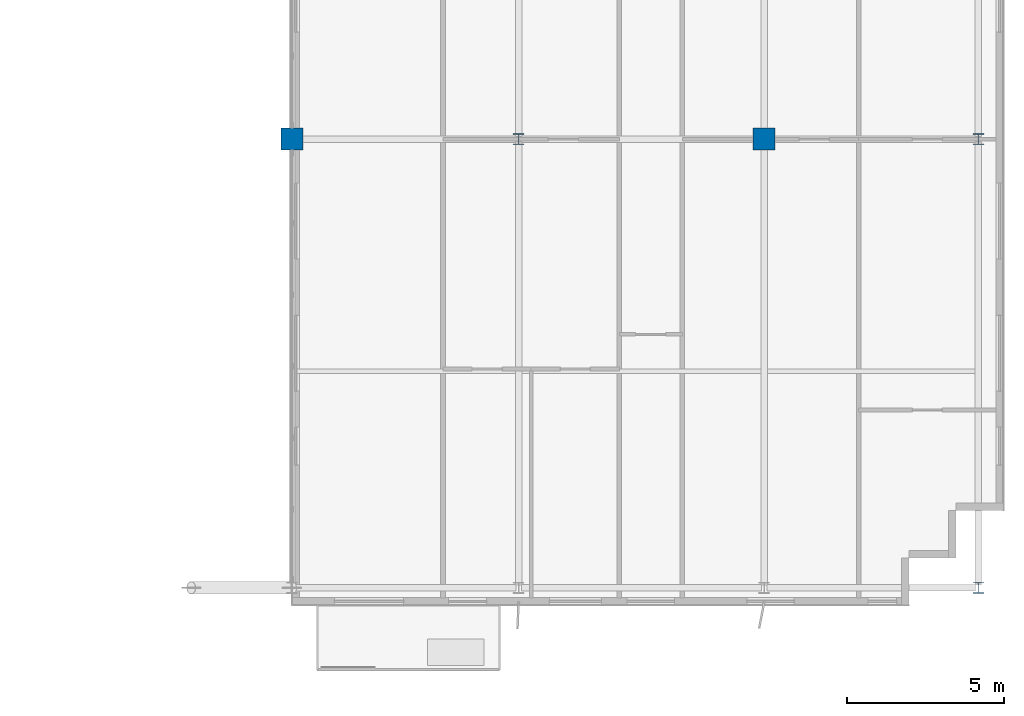
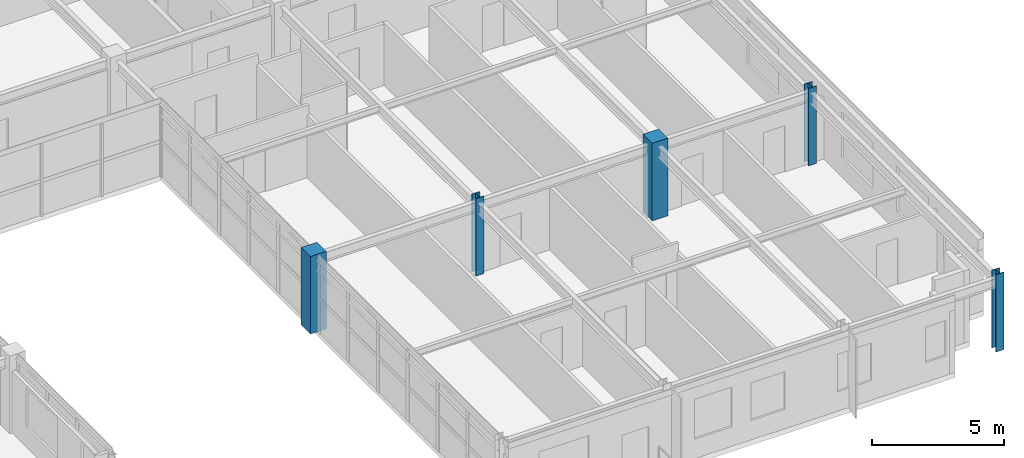
# One storey, part 2 of 34: 5 columns.
"""IFC4 building model written with IfcOpenShell, lengths in metres."""

from ifc_helpers import new_model, si_unit, direction, frame, origin, origin_2d, place, context, subcontext, project, spatial, rectangle, i_section, extrude, source, transform, mapped, material, material_profile, profile_set, type_object, element, save


model = new_model("IFC4")

# Units and contexts
model_context = context("Model", 3, precision=1e-05, world=origin(), true_north=direction((0.0, 1.0)))
body_context = subcontext(model_context, "Body", "Model", "MODEL_VIEW")
ifc_project = project(units=[si_unit("LENGTHUNIT", "METRE"), si_unit("AREAUNIT", "SQUARE_METRE"), si_unit("VOLUMEUNIT", "CUBIC_METRE"), si_unit("PLANEANGLEUNIT", "RADIAN"), si_unit("MASSUNIT", "GRAM", prefix="KILO")], contexts=[model_context])

# Site, building, storey
site_placement = place(None, origin())
site = spatial("IfcSite", under=ifc_project, at=site_placement, CompositionType="ELEMENT")
building_placement = place(site_placement, origin())
building = spatial("IfcBuilding", under=site, at=building_placement, Name="Trelvane Seafront Commons", CompositionType="ELEMENT")
storey_placement = place(building_placement, frame((0.0, 0.0, 197.699951171875)))
storey = spatial("IfcBuildingStorey", under=building, at=storey_placement, Name="L51", CompositionType="ELEMENT", Elevation=197.699951171875)

# Columns
ifc_material_1 = material(Name="Concrete C50/60", Category="concrete")
ifc_material_profile_1 = material_profile(ifc_material_1, rectangle(XDim=0.699951171875, YDim=0.699951171875, at=origin_2d()), Name="RC-700x700")
ifc_profile_set_1 = profile_set([ifc_material_profile_1], Name="Concrete C50/60")
column_type_1 = type_object("IfcColumnType", Name="STR-COL-RC700", PredefinedType="COLUMN", material=ifc_profile_set_1)
shared_shape_1 = source(origin(), body_context, "Body", "SweptSolid", [
    extrude(rectangle(XDim=0.699951171875, YDim=0.699951171875, at=origin_2d()), origin(), (0.0, 0.0, 1.0), 3.60009765625),
])
for number, where, z_axis, x_axis, name in (
    (1, (43.800048828125, 18.199951171875, 0.0), (0.0, 0.0, 1.0), (1.0, 0.0, 0.0), "L51 Column TC-M43.8"),
    (2, (58.800048828125, 18.199951171875, 0.0), (0.0, 0.0, 1.0), (1.0, 0.0, 0.0), "L51 Column TC-M58.8"),
):
    element("IfcColumn", number, at=place(storey_placement, frame(where, z_axis=z_axis, x_axis=x_axis)), inside=storey, type_object=column_type_1, Name=name, PredefinedType="COLUMN", context=body_context, shape_type="MappedRepresentation", body=[
        mapped(shared_shape_1, transform((0.0, 0.0, 0.0), x_axis=(1.0, 0.0, 0.0), y_axis=(0.0, 1.0, 0.0), z_axis=(0.0, 0.0, 1.0), scale=1.0)),
    ])
ifc_material_2 = material(Name="Steel SM355 (S355)", Category="steel")
ifc_material_profile_2 = material_profile(ifc_material_2, i_section(OverallWidth=0.35009765625, OverallDepth=0.35009765625, WebThickness=0.01806640625, FlangeThickness=0.028076171875, at=origin_2d()), Name="HD-350x350x18x28")
ifc_profile_set_2 = profile_set([ifc_material_profile_2], Name="Steel SM355 (S355)")
column_type_2 = type_object("IfcColumnType", Name="STR-COL-HD350", PredefinedType="COLUMN", material=ifc_profile_set_2)
shared_shape_2 = source(origin(), body_context, "Body", "SweptSolid", [
    extrude(i_section(OverallWidth=0.35009765625, OverallDepth=0.35009765625, WebThickness=0.01806640625, FlangeThickness=0.028076171875, at=origin_2d()), origin(), (0.0, 0.0, 1.0), 3.60009765625),
])
for number, where, z_axis, x_axis, name in (
    (3, (51.0, 18.199951171875, 0.0), (0.0, 0.0, 1.0), (1.0, 0.0, 0.0), "L51 Column TC-M51.0"),
    (4, (65.60009765625, 3.949951171875, 0.0), (0.0, 0.0, 1.0), (1.0, 0.0, 0.0), "L51 Column TC-S65.6"),
    (5, (65.60009765625, 18.199951171875, 0.0), (0.0, 0.0, 1.0), (1.0, 0.0, 0.0), "L51 Column TC-M65.6"),
):
    element("IfcColumn", number, at=place(storey_placement, frame(where, z_axis=z_axis, x_axis=x_axis)), inside=storey, type_object=column_type_2, Name=name, PredefinedType="COLUMN", context=body_context, shape_type="MappedRepresentation", body=[
        mapped(shared_shape_2, transform((0.0, 0.0, 0.0), x_axis=(1.0, 0.0, 0.0), y_axis=(0.0, 1.0, 0.0), z_axis=(0.0, 0.0, 1.0), scale=1.0)),
    ])

save(model, "model.ifc")
